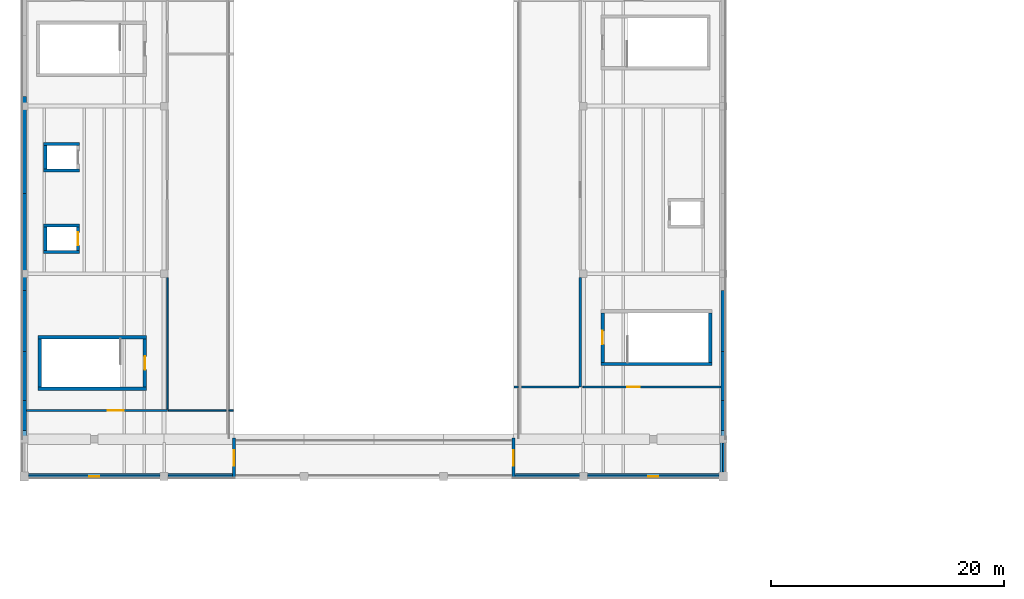
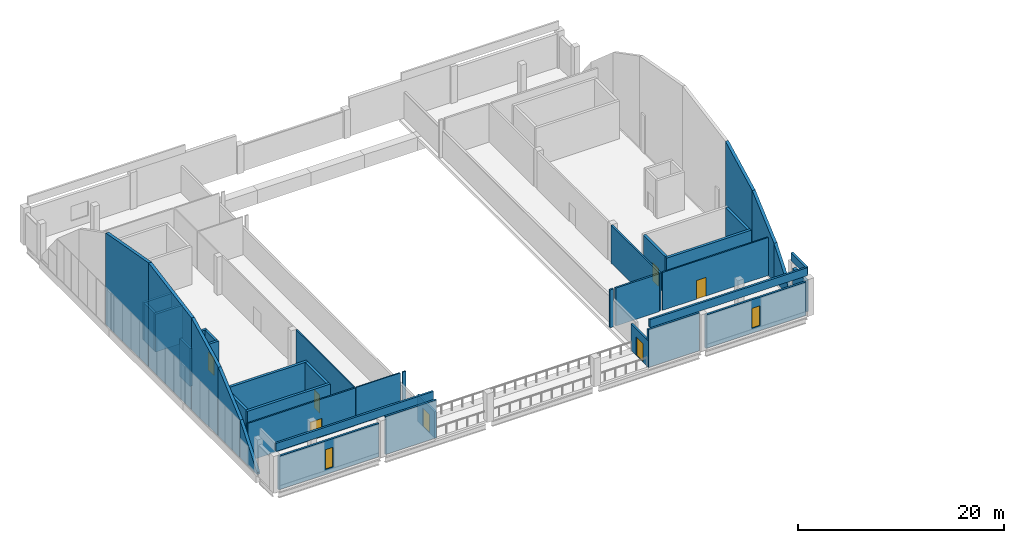
# One storey, part 3 of 7: 40 walls, 7 doors, 2 windows, 9 openings.
"""IFC4 building model written with IfcOpenShell, lengths in metres."""

from ifc_helpers import new_model, si_unit, direction, frame, frame_2d, origin, place, context, subcontext, project, spatial, polyline, rectangle, outline, extrude, material, layer, layer_set, type_object, element, fill, save


model = new_model("IFC4")

# Units and contexts
model_context = context("Model", 3, precision=1e-05, world=origin(), true_north=direction((0.0, 1.0)))
body_context = subcontext(model_context, "Body", "Model", "MODEL_VIEW")
ifc_project = project(units=[si_unit("LENGTHUNIT", "METRE"), si_unit("AREAUNIT", "SQUARE_METRE"), si_unit("VOLUMEUNIT", "CUBIC_METRE"), si_unit("PLANEANGLEUNIT", "RADIAN"), si_unit("MASSUNIT", "GRAM", prefix="KILO")], contexts=[model_context])

# Site, building, storey
site_placement = place(None, origin())
site = spatial("IfcSite", under=ifc_project, at=site_placement, CompositionType="ELEMENT")
building_placement = place(site_placement, origin())
building = spatial("IfcBuilding", under=site, at=building_placement, Name="Kelmvaro Bay Concert Hall", CompositionType="ELEMENT")
storey_placement = place(building_placement, frame((0.0, 0.0, 22.199951171875)))
storey = spatial("IfcBuildingStorey", under=building, at=storey_placement, Name="L05", CompositionType="ELEMENT", Elevation=22.199951171875)

# Walls
ifc_material_1 = material(Name="Acoustic Gypsum Board on Galvanised Steel Studs", Category="steel")
ifc_layer_1 = layer(ifc_material_1, 0.1298828125)
ifc_layer_set_1 = layer_set([ifc_layer_1], Name="Acoustic Gypsum Board on Galvanised Steel Studs")
wall_type_1 = type_object("IfcWallType", Name="Classroom Acoustic Partition 130", PredefinedType="PARTITIONING", material=ifc_layer_set_1)
wall_1_placement = place(storey_placement, frame((12.280029296875, 71.175048828125, 0.0), z_axis=(0.0, 0.0, 1.0), x_axis=(0.0, 1.0, 0.0)))
element("IfcWall", 1, at=wall_1_placement, inside=storey, type_object=wall_type_1, Name="L05 Interior Partition PT-L05-0358", PredefinedType="PARTITIONING", context=body_context, shape_type="SweptSolid", body=[
    extrude(rectangle(XDim=11.2919921875, YDim=0.1298828125, at=frame_2d((5.64599609375, 0.0))), origin(), (0.0, 0.0, 1.0), 4.5),
])
wall_2_placement = place(storey_placement, frame((12.35498046875, 71.080078125, 0.0), z_axis=(0.0, 0.0, 1.0), x_axis=(1.0, 0.0, 0.0)))
element("IfcWall", 2, at=wall_2_placement, inside=storey, type_object=wall_type_1, Name="L05 Interior Partition PT-L05-0363", PredefinedType="PARTITIONING", context=body_context, shape_type="SweptSolid", body=[
    extrude(rectangle(XDim=4.97509765625, YDim=0.1298828125, at=frame_2d((2.487548828125, 0.0))), origin(), (0.0, 0.0, 1.0), 4.5),
])
wall_3_placement = place(storey_placement, frame((17.570068359375, 71.080078125, 0.0), z_axis=(0.0, 0.0, 1.0), x_axis=(1.0, 0.0, 0.0)))
element("IfcWall", 3, at=wall_3_placement, inside=storey, type_object=wall_type_1, Name="L05 Interior Partition PT-L05-0364", PredefinedType="PARTITIONING", context=body_context, shape_type="SweptSolid", body=[
    extrude(rectangle(XDim=0.3798828125, YDim=0.1298828125, at=frame_2d((0.18994140625, 0.0))), origin(), (0.0, 0.0, 1.0), 4.5),
])

# Wall, opening, door
ifc_material_2 = material(Name="Acoustic Gypsum Board on Galvanised Steel Studs", Category="steel")
ifc_layer_2 = layer(ifc_material_2, 0.169921875)
ifc_layer_set_2 = layer_set([ifc_layer_2], Name="Acoustic Gypsum Board on Galvanised Steel Studs")
wall_type_2 = type_object("IfcWallType", Name="Corridor Fire Compartment Partition 170", PredefinedType="PARTITIONING", material=ifc_layer_set_2)
wall_4_placement = place(storey_placement, frame((0.179931640625, 71.080078125, 0.0), z_axis=(0.0, 0.0, 1.0), x_axis=(1.0, 0.0, 0.0)))
wall_4 = element("IfcWall", 4, at=wall_4_placement, inside=storey, type_object=wall_type_2, Name="L05 Interior Partition PT-L05-0357", PredefinedType="PARTITIONING", context=body_context, shape_type="SweptSolid", body=[
    extrude(rectangle(XDim=12.10498046875, YDim=0.169921875, at=frame_2d((6.052490234375, 0.0))), origin(), (0.0, 0.0, 1.0), 4.5),
])
opening_1_placement = place(wall_4_placement, frame((6.9775390625, 0.0, 0.0)))
opening_1 = element("IfcOpeningElement", 5, at=opening_1_placement, cuts=wall_4, Name="Opening ID-DN1", PredefinedType="OPENING", context=body_context, shape_type="SweptSolid", body=[
    extrude(rectangle(XDim=1.360107421875, YDim=2.199951171875, at=frame_2d((0.68017578125, 1.10009765625))), frame((0.0, 0.094970703125, 0.0), z_axis=(0.0, -1.0, 0.0), x_axis=(1.0, 0.0, 0.0)), (0.0, 0.0, 1.0), 0.18994140625),
])
ifc_material_3 = material(Name="Brushed Stainless Steel Core", Category="steel")
door_type_1 = type_object("IfcDoorType", Name="Dining and Kitchen Service Door 1360x2200", OperationType="NOTDEFINED", PredefinedType="DOOR", material=ifc_material_3)
door_1_placement = place(opening_1_placement, origin())
door_1 = element("IfcDoor", 6, at=door_1_placement, inside=storey, type_object=door_type_1, Name="L05 Interior Door DR-INT-L05-0207", OperationType="SINGLE_SWING_LEFT", OverallHeight=2.199951171875, OverallWidth=1.360107421875, PredefinedType="DOOR", context=body_context, shape_type="SweptSolid", body=[
    extrude(rectangle(XDim=1.360107421875, YDim=2.199951171875, at=frame_2d((0.68017578125, 1.10009765625))), frame((0.0, 0.02490234375, 0.0), z_axis=(0.0, -1.0, 0.0), x_axis=(1.0, 0.0, 0.0)), (0.0, 0.0, 1.0), 0.050048828125),
])
fill(opening_1, door_1)

# Wall, opening, window
ifc_material_4 = material(Name="Precast Concrete C40/50", Category="concrete")
ifc_layer_3 = layer(ifc_material_4, 0.219970703125)
ifc_layer_set_3 = layer_set([ifc_layer_3], Name="Precast Concrete C40/50")
wall_type_3 = type_object("IfcWallType", Name="Crown Mechanical Enclosure Wall 220", PredefinedType="SOLIDWALL", material=ifc_layer_set_3)
wall_5_placement = place(storey_placement, frame((11.64990234375, 65.39990234375, 0.0), z_axis=(0.0, 0.0, 1.0), x_axis=(-1.0, 0.0, 0.0)))
wall_5 = element("IfcWall", 7, at=wall_5_placement, inside=storey, type_object=wall_type_3, Name="L05 Exterior Wall EW-L05-0086", PredefinedType="SOLIDWALL", context=body_context, shape_type="SweptSolid", body=[
    extrude(rectangle(XDim=11.27490234375, YDim=0.219970703125, at=frame_2d((5.637451171875, 0.0))), origin(), (0.0, 0.0, 1.0), 3.97705078125),
])
opening_2_placement = place(wall_5_placement, frame((5.21240234375, 0.0, 0.60009765625)))
opening_2 = element("IfcOpeningElement", 8, at=opening_2_placement, cuts=wall_5, Name="Opening WN-13", PredefinedType="OPENING", context=body_context, shape_type="SweptSolid", body=[
    extrude(rectangle(XDim=0.85009765625, YDim=2.35009765625, at=frame_2d((0.425048828125, 1.175048828125))), frame((0.0, 0.119873046875, 0.0), z_axis=(0.0, -1.0, 0.0), x_axis=(1.0, 0.0, 0.0)), (0.0, 0.0, 1.0), 0.239990234375),
])
ifc_material_5 = material(Name="Thermally Broken Aluminium and Acoustic Low-E Glass", Category="aluminium")
window_type = type_object("IfcWindowType", Name="Salon Vertical Slot Window 850x2350", PartitioningType="SINGLE_PANEL", PredefinedType="WINDOW", material=ifc_material_5)
window_1_placement = place(opening_2_placement, origin())
window_1 = element("IfcWindow", 9, at=window_1_placement, inside=storey, type_object=window_type, Name="L05 Facade Window WN-L05-0040", OverallHeight=2.35009765625, OverallWidth=0.85009765625, PartitioningType="SINGLE_PANEL", PredefinedType="WINDOW", context=body_context, shape_type="SweptSolid", body=[
    extrude(rectangle(XDim=0.85009765625, YDim=2.35009765625, at=frame_2d((0.425048828125, 1.175048828125))), frame((0.0, 0.030029296875, 0.0), z_axis=(0.0, -1.0, 0.0), x_axis=(1.0, 0.0, 0.0)), (0.0, 0.0, 1.0), 0.06005859375),
])
fill(opening_2, window_1)

# Walls
for number, where, z_axis, x_axis, name in (
    (10, (18.110107421875, 65.39990234375, 0.0), (0.0, 0.0, 1.0), (-1.0, 0.0, 0.0), "L05 Exterior Wall EW-L05-0087"),
    (11, (47.64990234375, 65.39990234375, 0.0), (0.0, 0.0, 1.0), (-1.0, 0.0, 0.0), "L05 Exterior Wall EW-L05-0088"),
):
    element("IfcWall", number, at=place(storey_placement, frame(where, z_axis=z_axis, x_axis=x_axis)), inside=storey, type_object=wall_type_3, Name=name, PredefinedType="SOLIDWALL", context=body_context, shape_type="SweptSolid", body=[
        extrude(rectangle(XDim=5.760009765625, YDim=0.219970703125, at=frame_2d((2.8798828125, 0.0))), origin(), (0.0, 0.0, 1.0), 4.5),
    ])

# Wall, opening, window
wall_6_placement = place(storey_placement, frame((59.625, 65.39990234375, 0.0), z_axis=(0.0, 0.0, 1.0), x_axis=(-1.0, 0.0, 0.0)))
wall_6 = element("IfcWall", 12, at=wall_6_placement, inside=storey, type_object=wall_type_3, Name="L05 Exterior Wall EW-L05-0089", PredefinedType="SOLIDWALL", context=body_context, shape_type="SweptSolid", body=[
    extrude(rectangle(XDim=11.27490234375, YDim=0.219970703125, at=frame_2d((5.637451171875, 0.0))), origin(), (0.0, 0.0, 1.0), 3.97705078125),
])
opening_3_placement = place(wall_6_placement, frame((5.21240234375, 0.0, 0.60009765625)))
opening_3 = element("IfcOpeningElement", 13, at=opening_3_placement, cuts=wall_6, Name="Opening WN-13", PredefinedType="OPENING", context=body_context, shape_type="SweptSolid", body=[
    extrude(rectangle(XDim=0.85009765625, YDim=2.35009765625, at=frame_2d((0.425048828125, 1.175048828125))), frame((0.0, 0.119873046875, 0.0), z_axis=(0.0, -1.0, 0.0), x_axis=(1.0, 0.0, 0.0)), (0.0, 0.0, 1.0), 0.239990234375),
])
window_2_placement = place(opening_3_placement, origin())
window_2 = element("IfcWindow", 14, at=window_2_placement, inside=storey, type_object=window_type, Name="L05 Facade Window WN-L05-0041", OverallHeight=2.35009765625, OverallWidth=0.85009765625, PartitioningType="SINGLE_PANEL", PredefinedType="WINDOW", context=body_context, shape_type="SweptSolid", body=[
    extrude(rectangle(XDim=0.85009765625, YDim=2.35009765625, at=frame_2d((0.425048828125, 1.175048828125))), frame((0.0, 0.030029296875, 0.0), z_axis=(0.0, -1.0, 0.0), x_axis=(1.0, 0.0, 0.0)), (0.0, 0.0, 1.0), 0.06005859375),
])
fill(opening_3, window_2)

# Wall, opening, door
wall_7_placement = place(storey_placement, frame((18.0, 68.68994140625, 0.0), z_axis=(0.0, 0.0, 1.0), x_axis=(0.0, -1.0, 0.0)))
wall_7 = element("IfcWall", 15, at=wall_7_placement, inside=storey, type_object=wall_type_3, Name="L05 Exterior Wall EW-L05-0095", PredefinedType="SOLIDWALL", context=body_context, shape_type="SweptSolid", body=[
    extrude(rectangle(XDim=3.39990234375, YDim=0.219970703125, at=frame_2d((1.699951171875, 0.0))), origin(), (0.0, 0.0, 1.0), 3.150146484375),
])
opening_4_placement = place(wall_7_placement, frame((1.050048828125, 0.0, 0.0)))
opening_4 = element("IfcOpeningElement", 16, at=opening_4_placement, cuts=wall_7, Name="Opening ED-130", PredefinedType="OPENING", context=body_context, shape_type="SweptSolid", body=[
    extrude(rectangle(XDim=1.300048828125, YDim=2.199951171875, at=frame_2d((0.64990234375, 1.10009765625))), frame((0.0, 0.119873046875, 0.0), z_axis=(0.0, -1.0, 0.0), x_axis=(1.0, 0.0, 0.0)), (0.0, 0.0, 1.0), 0.239990234375),
])
ifc_material_6 = material(Name="Thermally Broken Aluminium and Laminated Safety Glass", Category="aluminium")
door_type_2 = type_object("IfcDoorType", Name="Crown Terrace Glazed Door 1300x2200", OperationType="NOTDEFINED", PredefinedType="DOOR", material=ifc_material_6)
door_2_placement = place(opening_4_placement, origin())
door_2 = element("IfcDoor", 17, at=door_2_placement, inside=storey, type_object=door_type_2, Name="L05 Exterior Door DR-EXT-L05-005", OperationType="SINGLE_SWING_LEFT", OverallHeight=2.199951171875, OverallWidth=1.300048828125, PredefinedType="DOOR", context=body_context, shape_type="SweptSolid", body=[
    extrude(rectangle(XDim=1.300048828125, YDim=2.199951171875, at=frame_2d((0.64990234375, 1.10009765625))), frame((0.0, 0.02490234375, 0.0), z_axis=(0.0, -1.0, 0.0), x_axis=(1.0, 0.0, 0.0)), (0.0, 0.0, 1.0), 0.050048828125),
])
fill(opening_4, door_2)

wall_8_placement = place(storey_placement, frame((42.0, 65.2900390625, 0.0), z_axis=(0.0, 0.0, 1.0), x_axis=(0.0, 1.0, 0.0)))
wall_8 = element("IfcWall", 18, at=wall_8_placement, inside=storey, type_object=wall_type_3, Name="L05 Exterior Wall EW-L05-0096", PredefinedType="SOLIDWALL", context=body_context, shape_type="SweptSolid", body=[
    extrude(rectangle(XDim=3.39990234375, YDim=0.219970703125, at=frame_2d((1.699951171875, 0.0))), origin(), (0.0, 0.0, 1.0), 3.150146484375),
])
opening_5_placement = place(wall_8_placement, frame((1.050048828125, 0.0, 0.0)))
opening_5 = element("IfcOpeningElement", 19, at=opening_5_placement, cuts=wall_8, Name="Opening ED-130", PredefinedType="OPENING", context=body_context, shape_type="SweptSolid", body=[
    extrude(rectangle(XDim=1.300048828125, YDim=2.199951171875, at=frame_2d((0.64990234375, 1.10009765625))), frame((0.0, 0.119873046875, 0.0), z_axis=(0.0, -1.0, 0.0), x_axis=(1.0, 0.0, 0.0)), (0.0, 0.0, 1.0), 0.239990234375),
])
door_3_placement = place(opening_5_placement, origin())
door_3 = element("IfcDoor", 20, at=door_3_placement, inside=storey, type_object=door_type_2, Name="L05 Exterior Door DR-EXT-L05-006", OperationType="SINGLE_SWING_RIGHT", OverallHeight=2.199951171875, OverallWidth=1.300048828125, PredefinedType="DOOR", context=body_context, shape_type="SweptSolid", body=[
    extrude(rectangle(XDim=1.300048828125, YDim=2.199951171875, at=frame_2d((0.64990234375, 1.10009765625))), frame((0.0, 0.02490234375, 0.0), z_axis=(0.0, -1.0, 0.0), x_axis=(1.0, 0.0, 0.0)), (0.0, 0.0, 1.0), 0.050048828125),
])
fill(opening_5, door_3)

# Walls
ifc_material_7 = material(Name="Acoustic Gypsum Board on Galvanised Steel Studs", Category="steel")
ifc_layer_4 = layer(ifc_material_7, 0.199951171875)
ifc_layer_set_4 = layer_set([ifc_layer_4], Name="Acoustic Gypsum Board on Galvanised Steel Studs")
wall_type_4 = type_object("IfcWallType", Name="Double-Stud Acoustic Studio Partition 200", PredefinedType="PARTITIONING", material=ifc_layer_set_4)
wall_9_placement = place(storey_placement, frame((47.719970703125, 73.074951171875, 0.0), z_axis=(0.0, 0.0, 1.0), x_axis=(0.0, 1.0, 0.0)))
element("IfcWall", 21, at=wall_9_placement, inside=storey, type_object=wall_type_4, Name="L05 Interior Partition PT-L05-0370", PredefinedType="PARTITIONING", context=body_context, shape_type="SweptSolid", body=[
    extrude(rectangle(XDim=9.39208984375, YDim=0.199951171875, at=frame_2d((4.696044921875, 0.0))), origin(), (0.0, 0.0, 1.0), 4.5),
])
wall_10_placement = place(storey_placement, frame((42.050048828125, 73.080078125, 0.0), z_axis=(0.0, 0.0, 1.0), x_axis=(1.0, 0.0, 0.0)))
element("IfcWall", 22, at=wall_10_placement, inside=storey, type_object=wall_type_4, Name="L05 Interior Partition PT-L05-0374", PredefinedType="PARTITIONING", context=body_context, shape_type="SweptSolid", body=[
    extrude(rectangle(XDim=0.3798828125, YDim=0.199951171875, at=frame_2d((0.18994140625, 0.0))), origin(), (0.0, 0.0, 1.0), 4.5),
])
wall_11_placement = place(storey_placement, frame((42.669921875, 73.080078125, 0.0), z_axis=(0.0, 0.0, 1.0), x_axis=(1.0, 0.0, 0.0)))
element("IfcWall", 23, at=wall_11_placement, inside=storey, type_object=wall_type_4, Name="L05 Interior Partition PT-L05-0375", PredefinedType="PARTITIONING", context=body_context, shape_type="SweptSolid", body=[
    extrude(rectangle(XDim=4.940185546875, YDim=0.199951171875, at=frame_2d((2.47021484375, 0.0))), origin(), (0.0, 0.0, 1.0), 4.5),
])
ifc_material_8 = material(Name="Precast Concrete C40/50", Category="concrete")
ifc_layer_5 = layer(ifc_material_8, 0.22998046875)
ifc_layer_set_5 = layer_set([ifc_layer_5], Name="Precast Concrete C40/50")
wall_type_5 = type_object("IfcWallType", Name="Hurricane Roof Parapet Wall 230", PredefinedType="PARAPET", material=ifc_layer_set_5)
for number, where, z_axis, x_axis, name in (
    (24, (0.14990234375, 65.550048828125, 4.56005859375), (0.0, 0.0, 1.0), (1.0, 0.0, 0.0), "L05 Roof Parapet 01"),
    (25, (42.14990234375, 65.550048828125, 4.56005859375), (0.0, 0.0, 1.0), (1.0, 0.0, 0.0), "L05 Roof Parapet 03"),
):
    element("IfcWall", number, at=place(storey_placement, frame(where, z_axis=z_axis, x_axis=x_axis)), inside=storey, type_object=wall_type_5, Name=name, PredefinedType="PARAPET", context=body_context, shape_type="SweptSolid", body=[
        extrude(rectangle(XDim=17.7001953125, YDim=0.22998046875, at=frame_2d((8.85009765625, 0.0))), origin(), (0.0, 0.0, 1.0), 0.93994140625),
    ])
wall_12_placement = place(storey_placement, frame((59.85009765625, 65.550048828125, 4.56005859375), z_axis=(0.0, 0.0, 1.0), x_axis=(0.0, 1.0, 0.0)))
element("IfcWall", 26, at=wall_12_placement, inside=storey, type_object=wall_type_5, Name="L05 Roof Parapet 04", PredefinedType="PARAPET", context=body_context, shape_type="SweptSolid", body=[
    extrude(rectangle(XDim=2.89990234375, YDim=0.22998046875, at=frame_2d((1.449951171875, 0.0))), origin(), (0.0, 0.0, 1.0), 0.93994140625),
])
ifc_material_9 = material(Name="Precast Concrete C40/50", Category="concrete")
ifc_layer_6 = layer(ifc_material_9, 0.340087890625)
ifc_layer_set_6 = layer_set([ifc_layer_6], Name="Precast Concrete C40/50")
wall_type_6 = type_object("IfcWallType", Name="Main Hall Faceted Precast Wall 340", PredefinedType="SOLIDWALL", material=ifc_layer_set_6)
wall_13_placement = place(storey_placement, frame((0.0, 68.580078125, 0.0), z_axis=(0.0, 0.0, 1.0), x_axis=(0.0, 1.0, 0.0)))
element("IfcWall", 27, at=wall_13_placement, inside=storey, type_object=wall_type_6, Name="L05 Raked Crystal Gable Wall EW-L05-0099", PredefinedType="SOLIDWALL", context=body_context, shape_type="SweptSolid", body=[
    extrude(outline(polyline([(0.0, 0.0), (3.328857421875, 0.0), (3.328857421875, 4.46337890625), (0.0, 0.25), (0.0, 0.0)])), frame((0.0, 0.169921875, 0.0), z_axis=(0.0, -1.0, 0.0), x_axis=(1.0, 0.0, 0.0)), (0.0, 0.0, 1.0), 0.340087890625),
])
wall_14_placement = place(storey_placement, frame((60.0, 71.908935546875, 0.0), z_axis=(0.0, 0.0, 1.0), x_axis=(0.0, -1.0, 0.0)))
element("IfcWall", 28, at=wall_14_placement, inside=storey, type_object=wall_type_6, Name="L05 Raked Crystal Gable Wall EW-L05-0100", PredefinedType="SOLIDWALL", context=body_context, shape_type="SweptSolid", body=[
    extrude(outline(polyline([(0.0, 0.0), (3.328857421875, 0.0), (3.328857421875, 0.25), (0.0, 4.46337890625), (0.0, 0.0)])), frame((0.0, 0.169921875, 0.0), z_axis=(0.0, -1.0, 0.0), x_axis=(1.0, 0.0, 0.0)), (0.0, 0.0, 1.0), 0.340087890625),
])
wall_15_placement = place(storey_placement, frame((0.0, 71.908935546875, 0.0), z_axis=(0.0, 0.0, 1.0), x_axis=(0.0, 1.0, 0.0)))
element("IfcWall", 29, at=wall_15_placement, inside=storey, type_object=wall_type_6, Name="L05 Raked Crystal Gable Wall EW-L05-0101", PredefinedType="SOLIDWALL", context=body_context, shape_type="SweptSolid", body=[
    extrude(outline(polyline([(0.0, 0.0), (4.23974609375, 0.0), (4.23974609375, 8.1630859375), (0.0, 4.46337890625), (0.0, 0.0)])), frame((0.0, 0.169921875, 0.0), z_axis=(0.0, -1.0, 0.0), x_axis=(1.0, 0.0, 0.0)), (0.0, 0.0, 1.0), 0.340087890625),
])
wall_16_placement = place(storey_placement, frame((60.0, 76.148681640625, 0.0), z_axis=(0.0, 0.0, 1.0), x_axis=(0.0, -1.0, 0.0)))
element("IfcWall", 30, at=wall_16_placement, inside=storey, type_object=wall_type_6, Name="L05 Raked Crystal Gable Wall EW-L05-0102", PredefinedType="SOLIDWALL", context=body_context, shape_type="SweptSolid", body=[
    extrude(outline(polyline([(0.0, 0.0), (4.23974609375, 0.0), (4.23974609375, 4.46337890625), (0.0, 8.1630859375), (0.0, 0.0)])), frame((0.0, 0.169921875, 0.0), z_axis=(0.0, -1.0, 0.0), x_axis=(1.0, 0.0, 0.0)), (0.0, 0.0, 1.0), 0.340087890625),
])
wall_17_placement = place(storey_placement, frame((0.0, 76.148681640625, 0.0), z_axis=(0.0, 0.0, 1.0), x_axis=(0.0, 1.0, 0.0)))
element("IfcWall", 31, at=wall_17_placement, inside=storey, type_object=wall_type_6, Name="L05 Raked Crystal Gable Wall EW-L05-0103", PredefinedType="SOLIDWALL", context=body_context, shape_type="SweptSolid", body=[
    extrude(outline(polyline([(0.0, 0.0), (5.209228515625, 0.0), (5.209228515625, 10.858642578125), (0.0, 8.1630859375), (0.0, 0.0)])), frame((0.0, 0.169921875, 0.0), z_axis=(0.0, -1.0, 0.0), x_axis=(1.0, 0.0, 0.0)), (0.0, 0.0, 1.0), 0.340087890625),
])
wall_18_placement = place(storey_placement, frame((60.0, 81.35791015625, 0.0), z_axis=(0.0, 0.0, 1.0), x_axis=(0.0, -1.0, 0.0)))
element("IfcWall", 32, at=wall_18_placement, inside=storey, type_object=wall_type_6, Name="L05 Raked Crystal Gable Wall EW-L05-0104", PredefinedType="SOLIDWALL", context=body_context, shape_type="SweptSolid", body=[
    extrude(outline(polyline([(0.0, 0.0), (5.209228515625, 0.0), (5.209228515625, 8.1630859375), (0.0, 10.858642578125), (0.0, 0.0)])), frame((0.0, 0.169921875, 0.0), z_axis=(0.0, -1.0, 0.0), x_axis=(1.0, 0.0, 0.0)), (0.0, 0.0, 1.0), 0.340087890625),
])
wall_19_placement = place(storey_placement, frame((0.0, 81.35791015625, 0.0), z_axis=(0.0, 0.0, 1.0), x_axis=(0.0, 1.0, 0.0)))
element("IfcWall", 33, at=wall_19_placement, inside=storey, type_object=wall_type_6, Name="L05 Raked Crystal Gable Wall EW-L05-0105", PredefinedType="SOLIDWALL", context=body_context, shape_type="SweptSolid", body=[
    extrude(outline(polyline([(0.0, 0.0), (8.342041015625, 0.0), (8.34228515625, 12.35498046875), (0.0, 10.858642578125), (0.0, 0.0)])), frame((0.0, 0.169921875, 0.0), z_axis=(0.0, -1.0, 0.0), x_axis=(1.0, 0.0, 0.0)), (0.0, 0.0, 1.0), 0.340087890625),
])
wall_20_placement = place(storey_placement, frame((0.0, 89.699951171875, 0.0), z_axis=(0.0, 0.0, 1.0), x_axis=(0.0, 1.0, 0.0)))
element("IfcWall", 34, at=wall_20_placement, inside=storey, type_object=wall_type_6, Name="L05 Raked Crystal Gable Wall EW-L05-0107", PredefinedType="SOLIDWALL", context=body_context, shape_type="SweptSolid", body=[
    extrude(outline(polyline([(0.0, 0.0), (8.34228515625, 0.0), (8.34228515625, 10.858642578125), (0.0, 12.35498046875), (0.0, 0.0)])), frame((0.0, 0.169921875, 0.0), z_axis=(0.0, -1.0, 0.0), x_axis=(1.0, 0.0, 0.0)), (0.0, 0.0, 1.0), 0.340087890625),
])

# Wall, opening, door
ifc_material_10 = material(Name="Acoustic Gypsum Board on Galvanised Steel Studs", Category="steel")
ifc_layer_7 = layer(ifc_material_10, 0.159912109375)
ifc_layer_set_7 = layer_set([ifc_layer_7], Name="Acoustic Gypsum Board on Galvanised Steel Studs")
wall_type_7 = type_object("IfcWallType", Name="Practice Room Acoustic Partition 160", PredefinedType="PARTITIONING", material=ifc_layer_set_7)
wall_21_placement = place(storey_placement, frame((47.949951171875, 73.080078125, 0.0), z_axis=(0.0, 0.0, 1.0), x_axis=(1.0, 0.0, 0.0)))
wall_21 = element("IfcWall", 35, at=wall_21_placement, inside=storey, type_object=wall_type_7, Name="L05 Interior Partition PT-L05-0369", PredefinedType="PARTITIONING", context=body_context, shape_type="SweptSolid", body=[
    extrude(rectangle(XDim=11.8701171875, YDim=0.159912109375, at=frame_2d((5.93505859375, 0.0))), origin(), (0.0, 0.0, 1.0), 4.5),
])
opening_6_placement = place(wall_21_placement, frame((3.832763671875, 0.0, 0.0)))
opening_6 = element("IfcOpeningElement", 36, at=opening_6_placement, cuts=wall_21, Name="Opening ID-PR2", PredefinedType="OPENING", context=body_context, shape_type="SweptSolid", body=[
    extrude(rectangle(XDim=1.06005859375, YDim=2.219970703125, at=frame_2d((0.530029296875, 1.10986328125))), frame((0.0, 0.08984375, 0.0), z_axis=(0.0, -1.0, 0.0), x_axis=(1.0, 0.0, 0.0)), (0.0, 0.0, 1.0), 0.179931640625),
])
ifc_material_11 = material(Name="Solid White Oak Acoustic Leaf")
door_type_3 = type_object("IfcDoorType", Name="Ensemble Room Acoustic Door 1060x2220", OperationType="NOTDEFINED", PredefinedType="DOOR", material=ifc_material_11)
door_4_placement = place(opening_6_placement, origin())
door_4 = element("IfcDoor", 37, at=door_4_placement, inside=storey, type_object=door_type_3, Name="L05 Interior Door DR-INT-L05-0211", OperationType="SINGLE_SWING_LEFT", OverallHeight=2.219970703125, OverallWidth=1.06005859375, PredefinedType="DOOR", context=body_context, shape_type="SweptSolid", body=[
    extrude(rectangle(XDim=1.06005859375, YDim=2.219970703125, at=frame_2d((0.530029296875, 1.10986328125))), frame((0.0, 0.02490234375, 0.0), z_axis=(0.0, -1.0, 0.0), x_axis=(1.0, 0.0, 0.0)), (0.0, 0.0, 1.0), 0.050048828125),
])
fill(opening_6, door_4)

# Walls
ifc_material_12 = material(Name="Concrete C40/50", Category="concrete")
ifc_layer_8 = layer(ifc_material_12, 0.27001953125)
ifc_layer_set_8 = layer_set([ifc_layer_8], Name="Concrete C40/50")
wall_type_8 = type_object("IfcWallType", Name="Secondary Shaft Shear Wall 270", PredefinedType="SHEAR", material=ifc_layer_set_8)
for number, where, z_axis, x_axis, name in (
    (38, (1.655029296875, 84.6650390625, 0.0), (0.0, 0.0, 1.0), (1.0, 0.0, 0.0), "L05 LF-01 Lift Shaft Wall S"),
    (39, (1.655029296875, 86.93505859375, 0.0), (0.0, 0.0, 1.0), (1.0, 0.0, 0.0), "L05 LF-01 Lift Shaft Wall N"),
):
    element("IfcWall", number, at=place(storey_placement, frame(where, z_axis=z_axis, x_axis=x_axis)), inside=storey, type_object=wall_type_8, Name=name, PredefinedType="SHEAR", context=body_context, shape_type="SweptSolid", body=[
        extrude(rectangle(XDim=3.090087890625, YDim=0.27001953125, at=frame_2d((1.544921875, 0.0))), origin(), (0.0, 0.0, 1.0), 4.5),
    ])
wall_22_placement = place(storey_placement, frame((1.7900390625, 84.800048828125, 0.0), z_axis=(0.0, 0.0, 1.0), x_axis=(0.0, 1.0, 0.0)))
element("IfcWall", 40, at=wall_22_placement, inside=storey, type_object=wall_type_8, Name="L05 LF-01 Lift Shaft Wall W", PredefinedType="SHEAR", context=body_context, shape_type="SweptSolid", body=[
    extrude(rectangle(XDim=2.0, YDim=0.27001953125, at=frame_2d((1.0, 0.0))), origin(), (0.0, 0.0, 1.0), 4.5),
])

# Wall, opening, door
wall_23_placement = place(storey_placement, frame((4.610107421875, 84.800048828125, 0.0), z_axis=(0.0, 0.0, 1.0), x_axis=(0.0, 1.0, 0.0)))
wall_23 = element("IfcWall", 41, at=wall_23_placement, inside=storey, type_object=wall_type_8, Name="L05 LF-01 Lift Shaft Wall E", PredefinedType="SHEAR", context=body_context, shape_type="SweptSolid", body=[
    extrude(rectangle(XDim=2.0, YDim=0.27001953125, at=frame_2d((1.0, 0.0))), origin(), (0.0, 0.0, 1.0), 4.5),
])
opening_7_placement = place(wall_23_placement, frame((0.43994140625, 0.0, 0.0)))
opening_7 = element("IfcOpeningElement", 42, at=opening_7_placement, cuts=wall_23, Name="Opening LD-112", PredefinedType="OPENING", context=body_context, shape_type="SweptSolid", body=[
    extrude(rectangle(XDim=1.1201171875, YDim=2.14990234375, at=frame_2d((0.56005859375, 1.074951171875))), frame((0.0, 0.14501953125, 0.0), z_axis=(0.0, -1.0, 0.0), x_axis=(1.0, 0.0, 0.0)), (0.0, 0.0, 1.0), 0.2900390625),
])
ifc_material_13 = material(Name="Brushed Stainless Steel 316", Category="steel")
door_type_4 = type_object("IfcDoorType", Name="Passenger Lift Sliding Landing Door 1120x2150", OperationType="NOTDEFINED", PredefinedType="DOOR", material=ifc_material_13)
door_5_placement = place(opening_7_placement, origin())
door_5 = element("IfcDoor", 43, at=door_5_placement, inside=storey, type_object=door_type_4, Name="L05 Lift Landing Door LF-01", OperationType="SLIDING_TO_LEFT", OverallHeight=2.14990234375, OverallWidth=1.1201171875, PredefinedType="DOOR", context=body_context, shape_type="SweptSolid", body=[
    extrude(rectangle(XDim=1.1201171875, YDim=2.14990234375, at=frame_2d((0.56005859375, 1.074951171875))), frame((0.0, 0.02490234375, 0.0), z_axis=(0.0, -1.0, 0.0), x_axis=(1.0, 0.0, 0.0)), (0.0, 0.0, 1.0), 0.050048828125),
])
fill(opening_7, door_5)

# Walls
for number, where, z_axis, x_axis, name in (
    (44, (1.655029296875, 91.6650390625, 0.0), (0.0, 0.0, 1.0), (1.0, 0.0, 0.0), "L05 LF-02 Lift Shaft Wall S"),
    (45, (1.655029296875, 93.93505859375, 0.0), (0.0, 0.0, 1.0), (1.0, 0.0, 0.0), "L05 LF-02 Lift Shaft Wall N"),
):
    element("IfcWall", number, at=place(storey_placement, frame(where, z_axis=z_axis, x_axis=x_axis)), inside=storey, type_object=wall_type_8, Name=name, PredefinedType="SHEAR", context=body_context, shape_type="SweptSolid", body=[
        extrude(rectangle(XDim=3.090087890625, YDim=0.27001953125, at=frame_2d((1.544921875, 0.0))), origin(), (0.0, 0.0, 1.0), 4.5),
    ])
wall_24_placement = place(storey_placement, frame((1.7900390625, 91.800048828125, 0.0), z_axis=(0.0, 0.0, 1.0), x_axis=(0.0, 1.0, 0.0)))
element("IfcWall", 46, at=wall_24_placement, inside=storey, type_object=wall_type_8, Name="L05 LF-02 Lift Shaft Wall W", PredefinedType="SHEAR", context=body_context, shape_type="SweptSolid", body=[
    extrude(rectangle(XDim=2.0, YDim=0.27001953125, at=frame_2d((1.0, 0.0))), origin(), (0.0, 0.0, 1.0), 4.5),
])
ifc_material_14 = material(Name="Concrete C40/50", Category="concrete")
ifc_layer_9 = layer(ifc_material_14, 0.2900390625)
ifc_layer_set_9 = layer_set([ifc_layer_9], Name="Concrete C40/50")
wall_type_9 = type_object("IfcWallType", Name="Stair and Lift Core Shear Wall 290", PredefinedType="SHEAR", material=ifc_layer_set_9)
for number, where, z_axis, x_axis, name in (
    (47, (1.159912109375, 72.945068359375, 0.0), (0.0, 0.0, 1.0), (1.0, 0.0, 0.0), "L05 ST-01 Core Shear Wall S"),
    (48, (1.159912109375, 77.344970703125, 0.0), (0.0, 0.0, 1.0), (1.0, 0.0, 0.0), "L05 ST-01 Core Shear Wall N"),
):
    element("IfcWall", number, at=place(storey_placement, frame(where, z_axis=z_axis, x_axis=x_axis)), inside=storey, type_object=wall_type_9, Name=name, PredefinedType="SHEAR", context=body_context, shape_type="SweptSolid", body=[
        extrude(rectangle(XDim=9.330078125, YDim=0.2900390625, at=frame_2d((4.6650390625, 0.0))), origin(), (0.0, 0.0, 1.0), 4.5),
    ])
wall_25_placement = place(storey_placement, frame((1.304931640625, 73.090087890625, 0.0), z_axis=(0.0, 0.0, 1.0), x_axis=(0.0, 1.0, 0.0)))
element("IfcWall", 49, at=wall_25_placement, inside=storey, type_object=wall_type_9, Name="L05 ST-01 Core Shear Wall W", PredefinedType="SHEAR", context=body_context, shape_type="SweptSolid", body=[
    extrude(rectangle(XDim=4.10986328125, YDim=0.2900390625, at=frame_2d((2.054931640625, 0.0))), origin(), (0.0, 0.0, 1.0), 4.5),
])

# Wall, opening, door
wall_26_placement = place(storey_placement, frame((10.344970703125, 73.090087890625, 0.0), z_axis=(0.0, 0.0, 1.0), x_axis=(0.0, 1.0, 0.0)))
wall_26 = element("IfcWall", 50, at=wall_26_placement, inside=storey, type_object=wall_type_9, Name="L05 ST-01 Core Shear Wall E", PredefinedType="SHEAR", context=body_context, shape_type="SweptSolid", body=[
    extrude(rectangle(XDim=4.10986328125, YDim=0.2900390625, at=frame_2d((2.054931640625, 0.0))), origin(), (0.0, 0.0, 1.0), 4.5),
])
opening_8_placement = place(wall_26_placement, frame((1.47998046875, 0.0, 0.0)))
opening_8 = element("IfcOpeningElement", 51, at=opening_8_placement, cuts=wall_26, Name="Opening ID-ST1", PredefinedType="OPENING", context=body_context, shape_type="SweptSolid", body=[
    extrude(rectangle(XDim=1.14990234375, YDim=2.14990234375, at=frame_2d((0.574951171875, 1.074951171875))), frame((0.0, 0.155029296875, 0.0), z_axis=(0.0, -1.0, 0.0), x_axis=(1.0, 0.0, 0.0)), (0.0, 0.0, 1.0), 0.31005859375),
])
ifc_material_15 = material(Name="Fire-Rated Galvanised Steel", Category="steel")
door_type_5 = type_object("IfcDoorType", Name="Exit Stair Fire Door 1150x2150", OperationType="NOTDEFINED", PredefinedType="DOOR", material=ifc_material_15)
door_6_placement = place(opening_8_placement, origin())
door_6 = element("IfcDoor", 52, at=door_6_placement, inside=storey, type_object=door_type_5, Name="L05 ST-01 Stair Fire Door", OperationType="SINGLE_SWING_LEFT", OverallHeight=2.14990234375, OverallWidth=1.14990234375, PredefinedType="DOOR", context=body_context, shape_type="SweptSolid", body=[
    extrude(rectangle(XDim=1.14990234375, YDim=2.14990234375, at=frame_2d((0.574951171875, 1.074951171875))), frame((0.0, 0.02490234375, 0.0), z_axis=(0.0, -1.0, 0.0), x_axis=(1.0, 0.0, 0.0)), (0.0, 0.0, 1.0), 0.050048828125),
])
fill(opening_8, door_6)

# Wall
wall_27_placement = place(storey_placement, frame((49.510009765625, 75.054931640625, 0.0), z_axis=(0.0, 0.0, 1.0), x_axis=(1.0, 0.0, 0.0)))
element("IfcWall", 53, at=wall_27_placement, inside=storey, type_object=wall_type_9, Name="L05 ST-04 Core Shear Wall S", PredefinedType="SHEAR", context=body_context, shape_type="SweptSolid", body=[
    extrude(rectangle(XDim=9.530029296875, YDim=0.2900390625, at=frame_2d((4.76513671875, 0.0))), origin(), (0.0, 0.0, 1.0), 4.5),
])

# Wall, opening, door
wall_28_placement = place(storey_placement, frame((49.655029296875, 75.199951171875, 0.0), z_axis=(0.0, 0.0, 1.0), x_axis=(0.0, 1.0, 0.0)))
wall_28 = element("IfcWall", 54, at=wall_28_placement, inside=storey, type_object=wall_type_9, Name="L05 ST-04 Core Shear Wall W", PredefinedType="SHEAR", context=body_context, shape_type="SweptSolid", body=[
    extrude(rectangle(XDim=4.25, YDim=0.2900390625, at=frame_2d((2.125, 0.0))), origin(), (0.0, 0.0, 1.0), 4.5),
])
opening_9_placement = place(wall_28_placement, frame((1.550048828125, 0.0, 0.0)))
opening_9 = element("IfcOpeningElement", 55, at=opening_9_placement, cuts=wall_28, Name="Opening ID-ST1", PredefinedType="OPENING", context=body_context, shape_type="SweptSolid", body=[
    extrude(rectangle(XDim=1.14990234375, YDim=2.14990234375, at=frame_2d((0.574951171875, 1.074951171875))), frame((0.0, 0.155029296875, 0.0), z_axis=(0.0, -1.0, 0.0), x_axis=(1.0, 0.0, 0.0)), (0.0, 0.0, 1.0), 0.31005859375),
])
door_7_placement = place(opening_9_placement, origin())
door_7 = element("IfcDoor", 56, at=door_7_placement, inside=storey, type_object=door_type_5, Name="L05 ST-04 Stair Fire Door", OperationType="SINGLE_SWING_LEFT", OverallHeight=2.14990234375, OverallWidth=1.14990234375, PredefinedType="DOOR", context=body_context, shape_type="SweptSolid", body=[
    extrude(rectangle(XDim=1.14990234375, YDim=2.14990234375, at=frame_2d((0.574951171875, 1.074951171875))), frame((0.0, 0.02490234375, 0.0), z_axis=(0.0, -1.0, 0.0), x_axis=(1.0, 0.0, 0.0)), (0.0, 0.0, 1.0), 0.050048828125),
])
fill(opening_9, door_7)

# Walls
wall_29_placement = place(storey_placement, frame((58.89501953125, 75.199951171875, 0.0), z_axis=(0.0, 0.0, 1.0), x_axis=(0.0, 1.0, 0.0)))
element("IfcWall", 57, at=wall_29_placement, inside=storey, type_object=wall_type_9, Name="L05 ST-04 Core Shear Wall E", PredefinedType="SHEAR", context=body_context, shape_type="SweptSolid", body=[
    extrude(rectangle(XDim=4.25, YDim=0.2900390625, at=frame_2d((2.125, 0.0))), origin(), (0.0, 0.0, 1.0), 4.5),
])
ifc_material_16 = material(Name="Precast Concrete C40/50", Category="concrete")
ifc_layer_10 = layer(ifc_material_16, 0.360107421875)
ifc_layer_set_10 = layer_set([ifc_layer_10], Name="Precast Concrete C40/50")
wall_type_10 = type_object("IfcWallType", Name="Travertine Acoustic Precast Wall 360", PredefinedType="SOLIDWALL", material=ifc_layer_set_10)
wall_30_placement = place(storey_placement, frame((60.0, 68.2548828125, 0.0), z_axis=(0.0, 0.0, 1.0), x_axis=(0.0, -1.0, 0.0)))
element("IfcWall", 58, at=wall_30_placement, inside=storey, type_object=wall_type_10, Name="L05 Exterior Wall EW-L05-0092", PredefinedType="SOLIDWALL", context=body_context, shape_type="SweptSolid", body=[
    extrude(rectangle(XDim=2.47998046875, YDim=0.360107421875, at=frame_2d((1.239990234375, 0.0))), origin(), (0.0, 0.0, 1.0), 3.738037109375),
])

save(model, "model.ifc")
